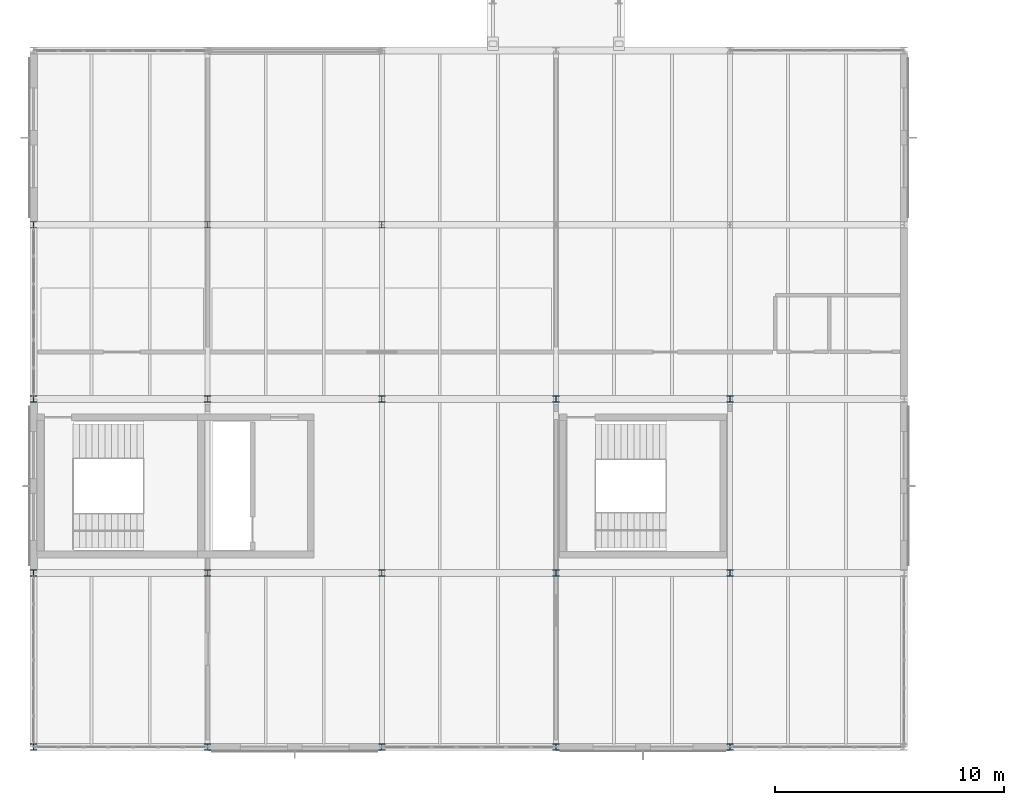
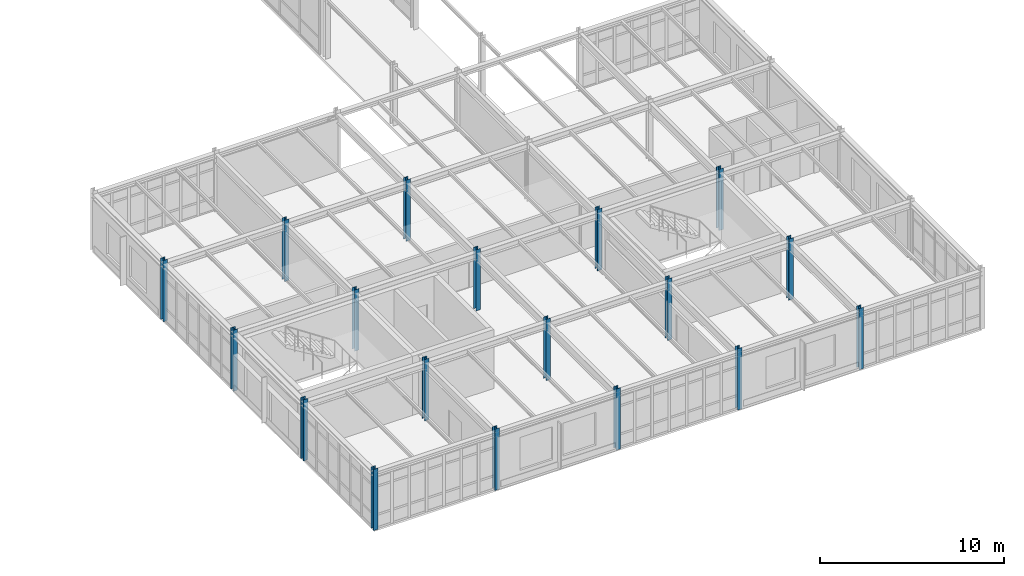
# One storey, part 1 of 165: 18 columns.
"""IFC4 building model written with IfcOpenShell, lengths in metres."""

from ifc_helpers import new_model, si_unit, direction, frame, origin, origin_2d, place, context, subcontext, project, spatial, i_section, extrude, material, material_profile, profile_set, type_object, element, save


model = new_model("IFC4")

# Units and contexts
model_context = context("Model", 3, precision=1e-05, world=origin(), true_north=direction((0.0, 1.0)))
body_context = subcontext(model_context, "Body", "Model", "MODEL_VIEW")
ifc_project = project(units=[si_unit("LENGTHUNIT", "METRE"), si_unit("AREAUNIT", "SQUARE_METRE"), si_unit("VOLUMEUNIT", "CUBIC_METRE"), si_unit("PLANEANGLEUNIT", "RADIAN"), si_unit("MASSUNIT", "GRAM", prefix="KILO")], contexts=[model_context])

# Site, building, storey
site_placement = place(None, origin())
site = spatial("IfcSite", under=ifc_project, at=site_placement, CompositionType="ELEMENT")
building_placement = place(site_placement, origin())
building = spatial("IfcBuilding", under=site, at=building_placement, Name="Montecoro Central Library", CompositionType="ELEMENT")
storey_placement = place(building_placement, frame((0.0, 0.0, 5.10009765625)))
storey = spatial("IfcBuildingStorey", under=building, at=storey_placement, Name="L01", CompositionType="ELEMENT", Elevation=5.10009765625)

# Columns
ifc_material = material(Name="Steel S355", Category="steel")
ifc_material_profile = material_profile(ifc_material, i_section(OverallWidth=0.280029296875, OverallDepth=0.280029296875, WebThickness=0.010498046875, FlangeThickness=0.01806640625, at=origin_2d()), Name="HEB 280")
ifc_profile_set = profile_set([ifc_material_profile], Name="Steel S355")
column_type = type_object("IfcColumnType", Name="COL-HEB280", PredefinedType="COLUMN", material=ifc_profile_set)
for number, where, z_axis, x_axis, name in (
    (1, (5.0, 5.0, 0.0), (0.0, 0.0, 1.0), (1.0, 0.0, 0.0), "V3-L01-COL-1-A"),
    (2, (5.0, 12.60009765625, 0.0), (0.0, 0.0, 1.0), (1.0, 0.0, 0.0), "V3-L01-COL-1-B"),
    (3, (5.0, 20.199951171875, 0.0), (0.0, 0.0, 1.0), (1.0, 0.0, 0.0), "V3-L01-COL-1-C"),
    (4, (5.0, 27.800048828125, 0.0), (0.0, 0.0, 1.0), (1.0, 0.0, 0.0), "V3-L01-COL-1-D"),
    (5, (12.60009765625, 5.0, 0.0), (0.0, 0.0, 1.0), (1.0, 0.0, 0.0), "V3-L01-COL-2-A"),
    (6, (12.60009765625, 12.60009765625, 0.0), (0.0, 0.0, 1.0), (1.0, 0.0, 0.0), "V3-L01-COL-2-B"),
    (7, (12.60009765625, 20.199951171875, 0.0), (0.0, 0.0, 1.0), (1.0, 0.0, 0.0), "V3-L01-COL-2-C"),
    (8, (12.60009765625, 27.800048828125, 0.0), (0.0, 0.0, 1.0), (1.0, 0.0, 0.0), "V3-L01-COL-2-D"),
    (9, (20.199951171875, 5.0, 0.0), (0.0, 0.0, 1.0), (1.0, 0.0, 0.0), "V3-L01-COL-3-A"),
    (10, (20.199951171875, 12.60009765625, 0.0), (0.0, 0.0, 1.0), (1.0, 0.0, 0.0), "V3-L01-COL-3-B"),
    (11, (20.199951171875, 20.199951171875, 0.0), (0.0, 0.0, 1.0), (1.0, 0.0, 0.0), "V3-L01-COL-3-C"),
    (12, (20.199951171875, 27.800048828125, 0.0), (0.0, 0.0, 1.0), (1.0, 0.0, 0.0), "V3-L01-COL-3-D"),
    (13, (27.800048828125, 5.0, 0.0), (0.0, 0.0, 1.0), (1.0, 0.0, 0.0), "V3-L01-COL-4-A"),
    (14, (27.800048828125, 12.60009765625, 0.0), (0.0, 0.0, 1.0), (1.0, 0.0, 0.0), "V3-L01-COL-4-B"),
    (15, (27.800048828125, 20.199951171875, 0.0), (0.0, 0.0, 1.0), (1.0, 0.0, 0.0), "V3-L01-COL-4-C"),
    (16, (35.39990234375, 5.0, 0.0), (0.0, 0.0, 1.0), (1.0, 0.0, 0.0), "V3-L01-COL-5-A"),
    (17, (35.39990234375, 12.60009765625, 0.0), (0.0, 0.0, 1.0), (1.0, 0.0, 0.0), "V3-L01-COL-5-B"),
    (18, (35.39990234375, 20.199951171875, 0.0), (0.0, 0.0, 1.0), (1.0, 0.0, 0.0), "V3-L01-COL-5-C"),
):
    element("IfcColumn", number, at=place(storey_placement, frame(where, z_axis=z_axis, x_axis=x_axis)), inside=storey, type_object=column_type, Name=name, PredefinedType="COLUMN", context=body_context, shape_type="SweptSolid", body=[
        extrude(i_section(OverallWidth=0.280029296875, OverallDepth=0.280029296875, WebThickness=0.010498046875, FlangeThickness=0.01806640625, at=origin_2d()), origin(), (0.0, 0.0, 1.0), 4.054931640625),
    ])

save(model, "model.ifc")
